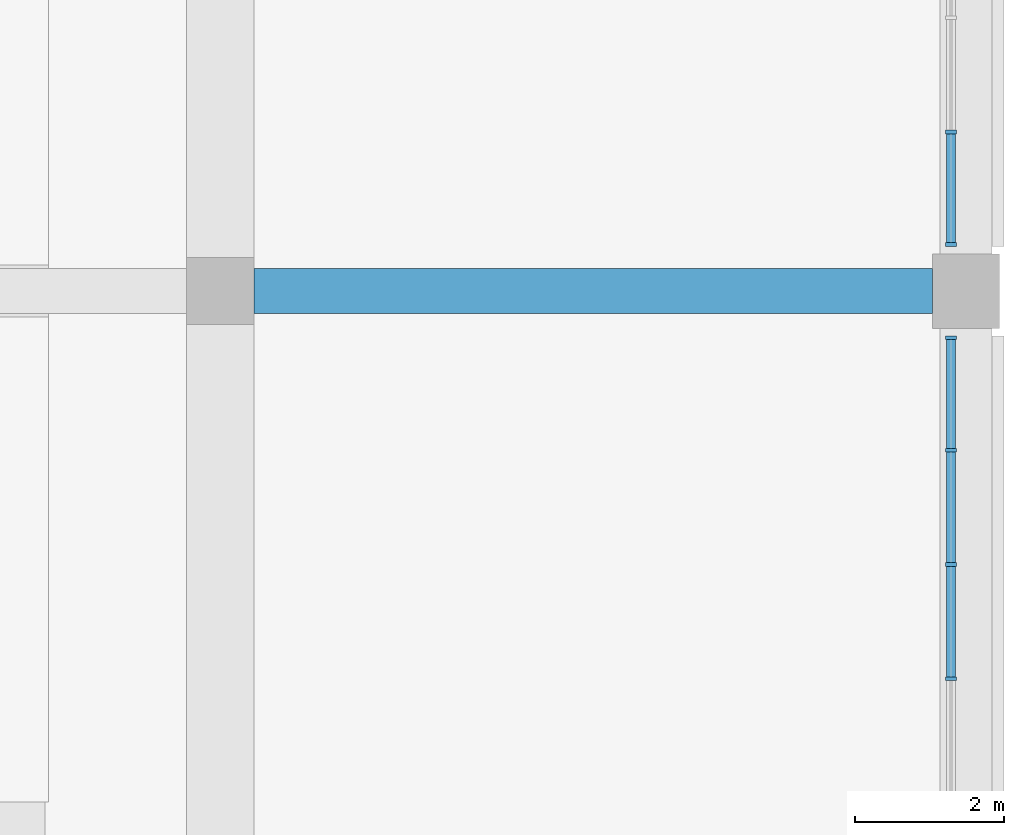
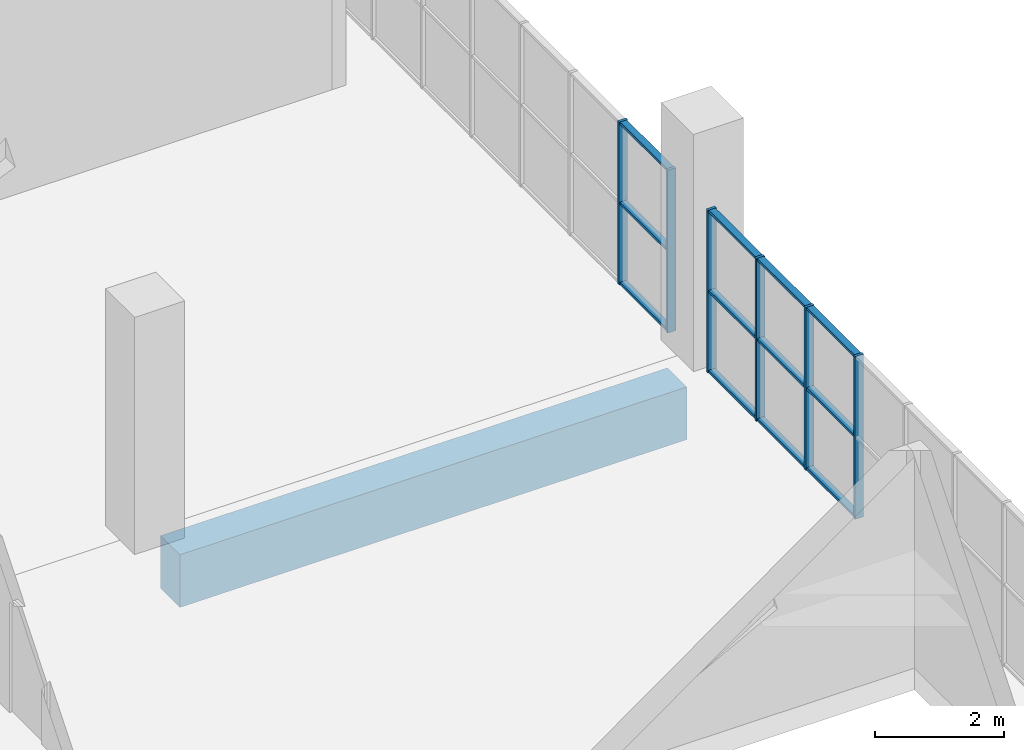
# One storey, part 38 of 249: 18 members, 1 beam, 2 elements without a shape of their own.
"""IFC4 building model written with IfcOpenShell, lengths in metres."""

from ifc_helpers import new_model, si_unit, direction, frame, origin, origin_2d, place, context, subcontext, project, spatial, rectangle, extrude, material, material_profile, profile_set, type_object, element, aggregate, save


model = new_model("IFC4")

# Units and contexts
model_context = context("Model", 3, precision=1e-05, world=origin(), true_north=direction((0.0, 1.0)))
body_context = subcontext(model_context, "Body", "Model", "MODEL_VIEW")
ifc_project = project(units=[si_unit("LENGTHUNIT", "METRE"), si_unit("AREAUNIT", "SQUARE_METRE"), si_unit("VOLUMEUNIT", "CUBIC_METRE"), si_unit("PLANEANGLEUNIT", "RADIAN"), si_unit("MASSUNIT", "GRAM", prefix="KILO")], contexts=[model_context])

# Site, building, storey
site_placement = place(None, origin())
site = spatial("IfcSite", under=ifc_project, at=site_placement, CompositionType="ELEMENT")
building_placement = place(site_placement, origin())
building = spatial("IfcBuilding", under=site, at=building_placement, Name="Ogive Plaza Stadium", CompositionType="ELEMENT")
storey_placement = place(building_placement, frame((0.0, 0.0, 13.5)))
storey = spatial("IfcBuildingStorey", under=building, at=storey_placement, Name="L03", CompositionType="ELEMENT", Elevation=13.5)

# Curtain wall, members
ifc_material_1 = material(Name="Bronze-anodised aluminium with laminated glass", Category="aluminium")
curtain_wall_type = type_object("IfcCurtainWallType", Name="Lancet curtain wall", PredefinedType="NOTDEFINED", material=ifc_material_1)
curtain_wall_1_placement = place(storey_placement, origin())
curtain_wall_1 = element("IfcCurtainWall", 1, at=curtain_wall_1_placement, inside=storey, type_object=curtain_wall_type, Name="CURTAIN WALL B02 L03", PredefinedType="NOTDEFINED")
ifc_material_2 = material(Name="Bronze-anodised aluminium", Category="aluminium")
ifc_material_profile_1 = material_profile(ifc_material_2, rectangle(XDim=0.14990234375, YDim=0.050048828125, at=origin_2d()), Name="AL 150x50")
ifc_profile_set_1 = profile_set([ifc_material_profile_1], Name="Bronze-anodised aluminium")
member_type_1 = type_object("IfcMemberType", Name="Curtain wall mullion 50x150", PredefinedType="MULLION", material=ifc_profile_set_1)
member_1_placement = place(storey_placement, frame((83.800048828125, 24.63330078125, 0.0), z_axis=(0.0, 0.0, 1.0), x_axis=(1.0, 0.0, 0.0)))
member_1 = element("IfcMember", 2, at=member_1_placement, type_object=member_type_1, Name="CW-B02-L03 mullion 9", PredefinedType="MULLION", context=body_context, shape_type="SweptSolid", body=[
    extrude(rectangle(XDim=0.14990234375, YDim=0.050048828125, at=origin_2d()), origin(), (0.0, 0.0, 1.0), 3.090087890625),
])
member_2_placement = place(storey_placement, frame((83.800048828125, 23.125, 0.0), z_axis=(0.0, 0.0, 1.0), x_axis=(1.0, 0.0, 0.0)))
member_2 = element("IfcMember", 3, at=member_2_placement, type_object=member_type_1, Name="CW-B02-L03 mullion 10", PredefinedType="MULLION", context=body_context, shape_type="SweptSolid", body=[
    extrude(rectangle(XDim=0.14990234375, YDim=0.050048828125, at=origin_2d()), origin(), (0.0, 0.0, 1.0), 3.090087890625),
])

curtain_wall_2_placement = place(storey_placement, origin())
curtain_wall_2 = element("IfcCurtainWall", 4, at=curtain_wall_2_placement, inside=storey, type_object=curtain_wall_type, Name="CURTAIN WALL B03 L03", PredefinedType="NOTDEFINED")
member_3_placement = place(storey_placement, frame((83.800048828125, 21.875, 0.0), z_axis=(0.0, 0.0, 1.0), x_axis=(1.0, 0.0, 0.0)))
member_3 = element("IfcMember", 5, at=member_3_placement, type_object=member_type_1, Name="CW-B03-L03 mullion 1", PredefinedType="MULLION", context=body_context, shape_type="SweptSolid", body=[
    extrude(rectangle(XDim=0.14990234375, YDim=0.050048828125, at=origin_2d()), origin(), (0.0, 0.0, 1.0), 3.090087890625),
])
member_4_placement = place(storey_placement, frame((83.800048828125, 20.36669921875, 0.0), z_axis=(0.0, 0.0, 1.0), x_axis=(1.0, 0.0, 0.0)))
member_4 = element("IfcMember", 6, at=member_4_placement, type_object=member_type_1, Name="CW-B03-L03 mullion 2", PredefinedType="MULLION", context=body_context, shape_type="SweptSolid", body=[
    extrude(rectangle(XDim=0.14990234375, YDim=0.050048828125, at=origin_2d()), origin(), (0.0, 0.0, 1.0), 3.090087890625),
])
member_5_placement = place(storey_placement, frame((83.800048828125, 18.833251953125, 0.0), z_axis=(0.0, 0.0, 1.0), x_axis=(1.0, 0.0, 0.0)))
member_5 = element("IfcMember", 7, at=member_5_placement, type_object=member_type_1, Name="CW-B03-L03 mullion 3", PredefinedType="MULLION", context=body_context, shape_type="SweptSolid", body=[
    extrude(rectangle(XDim=0.14990234375, YDim=0.050048828125, at=origin_2d()), origin(), (0.0, 0.0, 1.0), 3.090087890625),
])
member_6_placement = place(storey_placement, frame((83.800048828125, 17.300048828125, 0.0), z_axis=(0.0, 0.0, 1.0), x_axis=(1.0, 0.0, 0.0)))
member_6 = element("IfcMember", 8, at=member_6_placement, type_object=member_type_1, Name="CW-B03-L03 mullion 4", PredefinedType="MULLION", context=body_context, shape_type="SweptSolid", body=[
    extrude(rectangle(XDim=0.14990234375, YDim=0.050048828125, at=origin_2d()), origin(), (0.0, 0.0, 1.0), 3.090087890625),
])

# Member
ifc_material_3 = material(Name="Bronze-anodised aluminium", Category="aluminium")
ifc_material_profile_2 = material_profile(ifc_material_3, rectangle(XDim=0.1201171875, YDim=0.050048828125, at=origin_2d()), Name="AL 120x50")
ifc_profile_set_2 = profile_set([ifc_material_profile_2], Name="Bronze-anodised aluminium")
member_type_2 = type_object("IfcMemberType", Name="Curtain wall transom 50x120", PredefinedType="USERDEFINED", material=ifc_profile_set_2)
member_7_placement = place(storey_placement, frame((83.800048828125, 24.6083984375, 0.02490234375), z_axis=(0.0, -1.0, 0.0), x_axis=(1.0, 0.0, 0.0)))
member_7 = element("IfcMember", 9, at=member_7_placement, type_object=member_type_2, Name="CW-B02-L03 transom 9.1", ObjectType="TRANSOM", PredefinedType="USERDEFINED", context=body_context, shape_type="SweptSolid", body=[
    extrude(rectangle(XDim=0.1201171875, YDim=0.050048828125, at=origin_2d()), origin(), (0.0, 0.0, 1.0), 1.45849609375),
])

member_8_placement = place(storey_placement, frame((83.800048828125, 24.6083984375, 1.544921875), z_axis=(0.0, -1.0, 0.0), x_axis=(1.0, 0.0, 0.0)))
member_8 = element("IfcMember", 10, at=member_8_placement, type_object=member_type_2, Name="CW-B02-L03 transom 9.2", ObjectType="TRANSOM", PredefinedType="USERDEFINED", context=body_context, shape_type="SweptSolid", body=[
    extrude(rectangle(XDim=0.1201171875, YDim=0.050048828125, at=origin_2d()), origin(), (0.0, 0.0, 1.0), 1.45849609375),
])

member_9_placement = place(storey_placement, frame((83.800048828125, 24.6083984375, 3.06494140625), z_axis=(0.0, -1.0, 0.0), x_axis=(1.0, 0.0, 0.0)))
member_9 = element("IfcMember", 11, at=member_9_placement, type_object=member_type_2, Name="CW-B02-L03 transom 9.3", ObjectType="TRANSOM", PredefinedType="USERDEFINED", context=body_context, shape_type="SweptSolid", body=[
    extrude(rectangle(XDim=0.1201171875, YDim=0.050048828125, at=origin_2d()), origin(), (0.0, 0.0, 1.0), 1.45849609375),
])

aggregate(curtain_wall_1, [member_1, member_2, member_7, member_8, member_9])

member_10_placement = place(storey_placement, frame((83.800048828125, 21.85009765625, 0.02490234375), z_axis=(0.0, -1.0, 0.0), x_axis=(1.0, 0.0, 0.0)))
member_10 = element("IfcMember", 12, at=member_10_placement, type_object=member_type_2, Name="CW-B03-L03 transom 1.1", ObjectType="TRANSOM", PredefinedType="USERDEFINED", context=body_context, shape_type="SweptSolid", body=[
    extrude(rectangle(XDim=0.1201171875, YDim=0.050048828125, at=origin_2d()), origin(), (0.0, 0.0, 1.0), 1.45849609375),
])

member_11_placement = place(storey_placement, frame((83.800048828125, 21.85009765625, 1.544921875), z_axis=(0.0, -1.0, 0.0), x_axis=(1.0, 0.0, 0.0)))
member_11 = element("IfcMember", 13, at=member_11_placement, type_object=member_type_2, Name="CW-B03-L03 transom 1.2", ObjectType="TRANSOM", PredefinedType="USERDEFINED", context=body_context, shape_type="SweptSolid", body=[
    extrude(rectangle(XDim=0.1201171875, YDim=0.050048828125, at=origin_2d()), origin(), (0.0, 0.0, 1.0), 1.45849609375),
])

member_12_placement = place(storey_placement, frame((83.800048828125, 21.85009765625, 3.06494140625), z_axis=(0.0, -1.0, 0.0), x_axis=(1.0, 0.0, 0.0)))
member_12 = element("IfcMember", 14, at=member_12_placement, type_object=member_type_2, Name="CW-B03-L03 transom 1.3", ObjectType="TRANSOM", PredefinedType="USERDEFINED", context=body_context, shape_type="SweptSolid", body=[
    extrude(rectangle(XDim=0.1201171875, YDim=0.050048828125, at=origin_2d()), origin(), (0.0, 0.0, 1.0), 1.45849609375),
])

member_13_placement = place(storey_placement, frame((83.800048828125, 20.341552734375, 0.02490234375), z_axis=(0.0, -1.0, 0.0), x_axis=(1.0, 0.0, 0.0)))
member_13 = element("IfcMember", 15, at=member_13_placement, type_object=member_type_2, Name="CW-B03-L03 transom 2.1", ObjectType="TRANSOM", PredefinedType="USERDEFINED", context=body_context, shape_type="SweptSolid", body=[
    extrude(rectangle(XDim=0.1201171875, YDim=0.050048828125, at=origin_2d()), origin(), (0.0, 0.0, 1.0), 1.483154296875),
])

member_14_placement = place(storey_placement, frame((83.800048828125, 20.341552734375, 1.544921875), z_axis=(0.0, -1.0, 0.0), x_axis=(1.0, 0.0, 0.0)))
member_14 = element("IfcMember", 16, at=member_14_placement, type_object=member_type_2, Name="CW-B03-L03 transom 2.2", ObjectType="TRANSOM", PredefinedType="USERDEFINED", context=body_context, shape_type="SweptSolid", body=[
    extrude(rectangle(XDim=0.1201171875, YDim=0.050048828125, at=origin_2d()), origin(), (0.0, 0.0, 1.0), 1.483154296875),
])

member_15_placement = place(storey_placement, frame((83.800048828125, 20.341552734375, 3.06494140625), z_axis=(0.0, -1.0, 0.0), x_axis=(1.0, 0.0, 0.0)))
member_15 = element("IfcMember", 17, at=member_15_placement, type_object=member_type_2, Name="CW-B03-L03 transom 2.3", ObjectType="TRANSOM", PredefinedType="USERDEFINED", context=body_context, shape_type="SweptSolid", body=[
    extrude(rectangle(XDim=0.1201171875, YDim=0.050048828125, at=origin_2d()), origin(), (0.0, 0.0, 1.0), 1.483154296875),
])

member_16_placement = place(storey_placement, frame((83.800048828125, 18.808349609375, 0.02490234375), z_axis=(0.0, -1.0, 0.0), x_axis=(1.0, 0.0, 0.0)))
member_16 = element("IfcMember", 18, at=member_16_placement, type_object=member_type_2, Name="CW-B03-L03 transom 3.1", ObjectType="TRANSOM", PredefinedType="USERDEFINED", context=body_context, shape_type="SweptSolid", body=[
    extrude(rectangle(XDim=0.1201171875, YDim=0.050048828125, at=origin_2d()), origin(), (0.0, 0.0, 1.0), 1.4833984375),
])

member_17_placement = place(storey_placement, frame((83.800048828125, 18.808349609375, 1.544921875), z_axis=(0.0, -1.0, 0.0), x_axis=(1.0, 0.0, 0.0)))
member_17 = element("IfcMember", 19, at=member_17_placement, type_object=member_type_2, Name="CW-B03-L03 transom 3.2", ObjectType="TRANSOM", PredefinedType="USERDEFINED", context=body_context, shape_type="SweptSolid", body=[
    extrude(rectangle(XDim=0.1201171875, YDim=0.050048828125, at=origin_2d()), origin(), (0.0, 0.0, 1.0), 1.4833984375),
])

member_18_placement = place(storey_placement, frame((83.800048828125, 18.808349609375, 3.06494140625), z_axis=(0.0, -1.0, 0.0), x_axis=(1.0, 0.0, 0.0)))
member_18 = element("IfcMember", 20, at=member_18_placement, type_object=member_type_2, Name="CW-B03-L03 transom 3.3", ObjectType="TRANSOM", PredefinedType="USERDEFINED", context=body_context, shape_type="SweptSolid", body=[
    extrude(rectangle(XDim=0.1201171875, YDim=0.050048828125, at=origin_2d()), origin(), (0.0, 0.0, 1.0), 1.4833984375),
])

aggregate(curtain_wall_2, [member_3, member_4, member_5, member_6, member_10, member_11, member_12, member_13, member_14, member_15, member_16, member_17, member_18])

# Beam
ifc_material_4 = material(Name="Concrete C40/50", Category="concrete")
ifc_material_profile_3 = material_profile(ifc_material_4, rectangle(XDim=0.60009765625, YDim=1.0, at=origin_2d()), Name="RC 600x1000")
ifc_profile_set_3 = profile_set([ifc_material_profile_3], Name="Concrete C40/50")
beam_type = type_object("IfcBeamType", Name="RC radial beam 600x1000", PredefinedType="BEAM", material=ifc_profile_set_3)
beam_placement = place(storey_placement, frame((74.449951171875, 22.5, -0.909912109375), z_axis=(1.0, 0.0, 0.0), x_axis=(0.0, 1.0, 0.0)))
element("IfcBeam", 21, at=beam_placement, inside=storey, type_object=beam_type, Name="Radial beam L03 R03 F4F5", PredefinedType="BEAM", context=body_context, shape_type="SweptSolid", body=[
    extrude(rectangle(XDim=0.60009765625, YDim=1.0, at=origin_2d()), origin(), (0.0, 0.0, 1.0), 9.10009765625),
])

save(model, "model.ifc")
